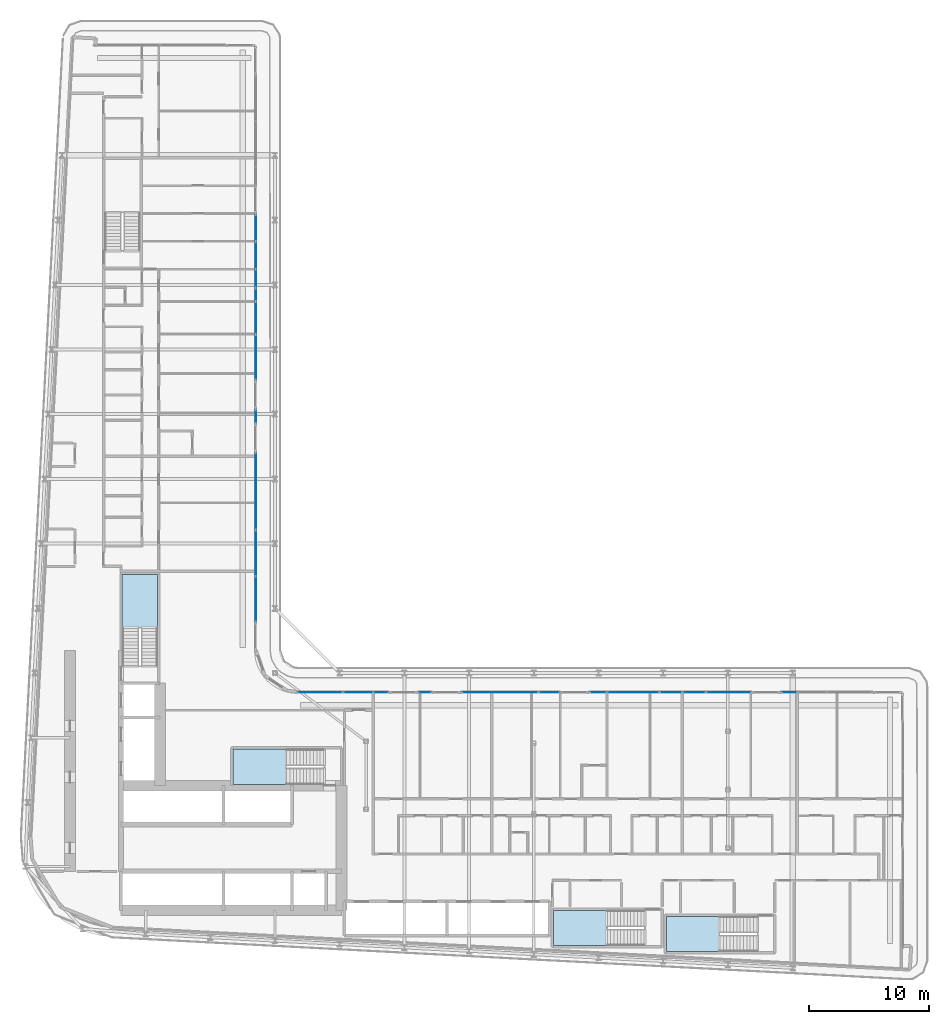
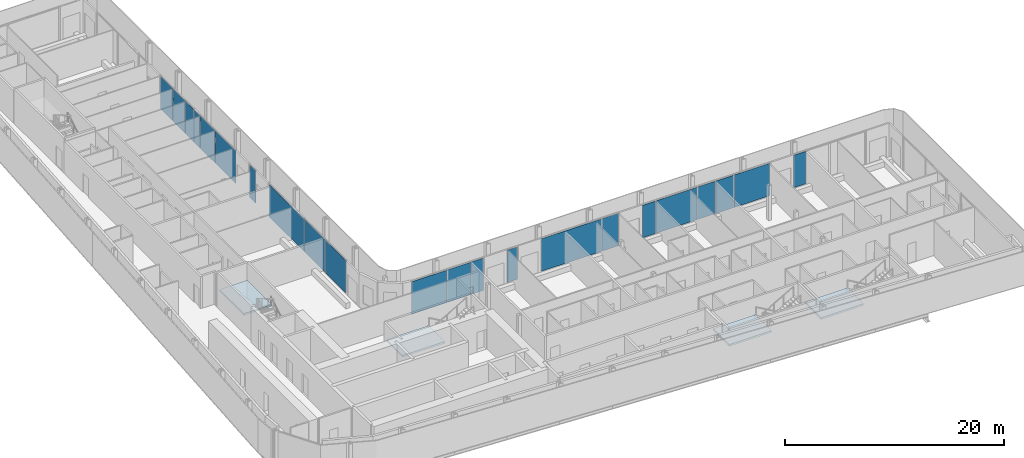
# One storey, part 10 of 28: 22 plates, 4 slabs, 16 elements without a shape of their own.
"""IFC4 building model written with IfcOpenShell, lengths in metres."""

from ifc_helpers import new_model, si_unit, direction, frame, origin, origin_2d, place, context, subcontext, project, spatial, polyline, rectangle, outline, extrude, material, layer, layer_set, type_object, element, aggregate, save


model = new_model("IFC4")

# Units and contexts
model_context = context("Model", 3, precision=1e-05, world=origin(), true_north=direction((0.0, 1.0)))
body_context = subcontext(model_context, "Body", "Model", "MODEL_VIEW")
ifc_project = project(units=[si_unit("LENGTHUNIT", "METRE"), si_unit("AREAUNIT", "SQUARE_METRE"), si_unit("VOLUMEUNIT", "CUBIC_METRE"), si_unit("PLANEANGLEUNIT", "RADIAN"), si_unit("MASSUNIT", "GRAM", prefix="KILO")], contexts=[model_context])

# Site, building, storey
site_placement = place(None, origin())
site = spatial("IfcSite", under=ifc_project, at=site_placement, CompositionType="ELEMENT")
building_placement = place(site_placement, origin())
building = spatial("IfcBuilding", under=site, at=building_placement, Name="Kheshtan School and Residences Tower", CompositionType="ELEMENT")
storey_placement = place(building_placement, frame((0.0, 0.0, 129.199951171875)))
storey = spatial("IfcBuildingStorey", under=building, at=storey_placement, Name="L30", CompositionType="ELEMENT", Elevation=129.199951171875)

# Curtain wall, plates
ifc_material_1 = material(Name="Clear low-e glass in thermally broken aluminium frame", Category="aluminium")
ifc_layer_1 = layer(ifc_material_1, 0.199951171875)
ifc_layer_set_1 = layer_set([ifc_layer_1], Name="Curtain wall CW-L")
curtain_wall_type = type_object("IfcCurtainWallType", Name="Curtain wall CW-L", PredefinedType="NOTDEFINED", material=ifc_layer_set_1)
curtain_wall_1_placement = place(storey_placement, origin())
curtain_wall_1 = element("IfcCurtainWall", 1, at=curtain_wall_1_placement, inside=storey, type_object=curtain_wall_type, Name="Curtain wall CWL8b", PredefinedType="NOTDEFINED")
ifc_layer_2 = layer(ifc_material_1, 0.031982421875)
ifc_layer_set_2 = layer_set([ifc_layer_2], Name="CW-L glass panel")
plate_type = type_object("IfcPlateType", Name="CW-L glass panel", PredefinedType="CURTAIN_PANEL", material=ifc_layer_set_2)
plate_1_placement = place(storey_placement, frame((46.0, 82.75048828125, 0.0), z_axis=(0.0, 0.0, 1.0), x_axis=(0.0, -1.0, 0.0)))
plate_1 = element("IfcPlate", 2, at=plate_1_placement, type_object=plate_type, Name="CWL8b panel 1.1", PredefinedType="CURTAIN_PANEL", context=body_context, shape_type="SweptSolid", body=[
    extrude(rectangle(XDim=2.19091796875, YDim=0.031982421875, at=origin_2d()), origin(), (0.0, 0.0, 1.0), 3.6298828125),
])
plate_2_placement = place(storey_placement, frame((46.0, 80.46240234375, 0.0), z_axis=(0.0, 0.0, 1.0), x_axis=(0.0, -1.0, 0.0)))
plate_2 = element("IfcPlate", 3, at=plate_2_placement, type_object=plate_type, Name="CWL8b panel 2.1", PredefinedType="CURTAIN_PANEL", context=body_context, shape_type="SweptSolid", body=[
    extrude(rectangle(XDim=2.264892578125, YDim=0.031982421875, at=origin_2d()), origin(), (0.0, 0.0, 1.0), 3.6298828125),
])
plate_3_placement = place(storey_placement, frame((46.0, 78.52099609375, 0.0), z_axis=(0.0, 0.0, 1.0), x_axis=(0.0, -1.0, 0.0)))
plate_3 = element("IfcPlate", 4, at=plate_3_placement, type_object=plate_type, Name="CWL8b panel 3.1", PredefinedType="CURTAIN_PANEL", context=body_context, shape_type="SweptSolid", body=[
    extrude(rectangle(XDim=1.498046875, YDim=0.031982421875, at=origin_2d()), origin(), (0.0, 0.0, 1.0), 3.6298828125),
])
aggregate(curtain_wall_1, [plate_1, plate_2, plate_3])

curtain_wall_2_placement = place(storey_placement, origin())
curtain_wall_2 = element("IfcCurtainWall", 5, at=curtain_wall_2_placement, inside=storey, type_object=curtain_wall_type, Name="Curtain wall CWL8c", PredefinedType="NOTDEFINED")
plate_4_placement = place(storey_placement, frame((46.0, 77.1708984375, 0.0), z_axis=(0.0, 0.0, 1.0), x_axis=(0.0, -1.0, 0.0)))
plate_4 = element("IfcPlate", 6, at=plate_4_placement, type_object=plate_type, Name="CWL8c panel 1.1", PredefinedType="CURTAIN_PANEL", context=body_context, shape_type="SweptSolid", body=[
    extrude(rectangle(XDim=1.08203125, YDim=0.031982421875, at=origin_2d()), origin(), (0.0, 0.0, 1.0), 3.6298828125),
])
plate_5_placement = place(storey_placement, frame((46.0, 75.232421875, 0.0), z_axis=(0.0, 0.0, 1.0), x_axis=(0.0, -1.0, 0.0)))
plate_5 = element("IfcPlate", 7, at=plate_5_placement, type_object=plate_type, Name="CWL8c panel 2.1", PredefinedType="CURTAIN_PANEL", context=body_context, shape_type="SweptSolid", body=[
    extrude(rectangle(XDim=2.675048828125, YDim=0.031982421875, at=origin_2d()), origin(), (0.0, 0.0, 1.0), 3.6298828125),
])
plate_6_placement = place(storey_placement, frame((46.0, 71.95654296875, 0.0), z_axis=(0.0, 0.0, 1.0), x_axis=(0.0, -1.0, 0.0)))
plate_6 = element("IfcPlate", 8, at=plate_6_placement, type_object=plate_type, Name="CWL8c panel 3.1", PredefinedType="CURTAIN_PANEL", context=body_context, shape_type="SweptSolid", body=[
    extrude(rectangle(XDim=3.757080078125, YDim=0.031982421875, at=origin_2d()), origin(), (0.0, 0.0, 1.0), 3.6298828125),
])
aggregate(curtain_wall_2, [plate_4, plate_5, plate_6])

# Curtain wall, plate
curtain_wall_3_placement = place(storey_placement, origin())
curtain_wall_3 = element("IfcCurtainWall", 9, at=curtain_wall_3_placement, inside=storey, type_object=curtain_wall_type, Name="Curtain wall CWL8g", PredefinedType="NOTDEFINED")
plate_7_placement = place(storey_placement, frame((46.0, 67.01806640625, 0.0), z_axis=(0.0, 0.0, 1.0), x_axis=(0.0, -1.0, 0.0)))
plate_7 = element("IfcPlate", 10, at=plate_7_placement, type_object=plate_type, Name="CWL8g panel 1.1", PredefinedType="CURTAIN_PANEL", context=body_context, shape_type="SweptSolid", body=[
    extrude(rectangle(XDim=1.080078125, YDim=0.031982421875, at=origin_2d()), origin(), (0.0, 0.0, 1.0), 3.6298828125),
])
aggregate(curtain_wall_3, [plate_7])

curtain_wall_4_placement = place(storey_placement, origin())
curtain_wall_4 = element("IfcCurtainWall", 11, at=curtain_wall_4_placement, inside=storey, type_object=curtain_wall_type, Name="Curtain wall CWL8h", PredefinedType="NOTDEFINED")
plate_8_placement = place(storey_placement, frame((46.0, 60.77099609375, 0.0), z_axis=(0.0, 0.0, 1.0), x_axis=(0.0, -1.0, 0.0)))
plate_8 = element("IfcPlate", 12, at=plate_8_placement, type_object=plate_type, Name="CWL8h panel 1.1", PredefinedType="CURTAIN_PANEL", context=body_context, shape_type="SweptSolid", body=[
    extrude(rectangle(XDim=6.3740234375, YDim=0.031982421875, at=origin_2d()), origin(), (0.0, 0.0, 1.0), 3.6298828125),
])
aggregate(curtain_wall_4, [plate_8])

# Curtain wall, plates
curtain_wall_5_placement = place(storey_placement, origin())
curtain_wall_5 = element("IfcCurtainWall", 13, at=curtain_wall_5_placement, inside=storey, type_object=curtain_wall_type, Name="Curtain wall CWL8", PredefinedType="NOTDEFINED")
plate_9_placement = place(storey_placement, frame((46.0, 55.615478515625, 0.0), z_axis=(0.0, 0.0, 1.0), x_axis=(0.0, -1.0, 0.0)))
plate_9 = element("IfcPlate", 14, at=plate_9_placement, type_object=plate_type, Name="CWL8 panel 1.1", PredefinedType="CURTAIN_PANEL", context=body_context, shape_type="SweptSolid", body=[
    extrude(rectangle(XDim=3.81689453125, YDim=0.031982421875, at=origin_2d()), origin(), (0.0, 0.0, 1.0), 3.6298828125),
])
plate_10_placement = place(storey_placement, frame((46.0, 51.7685546875, 0.0), z_axis=(0.0, 0.0, 1.0), x_axis=(0.0, -1.0, 0.0)))
plate_10 = element("IfcPlate", 15, at=plate_10_placement, type_object=plate_type, Name="CWL8 panel 2.1", PredefinedType="CURTAIN_PANEL", context=body_context, shape_type="SweptSolid", body=[
    extrude(rectangle(XDim=3.757080078125, YDim=0.031982421875, at=origin_2d()), origin(), (0.0, 0.0, 1.0), 3.6298828125),
])
aggregate(curtain_wall_5, [plate_9, plate_10])

curtain_wall_6_placement = place(storey_placement, origin())
curtain_wall_6 = element("IfcCurtainWall", 16, at=curtain_wall_6_placement, inside=storey, type_object=curtain_wall_type, Name="Curtain wall CWL12k", PredefinedType="NOTDEFINED")
plate_11_placement = place(storey_placement, frame((51.368408203125, 44.0, 0.0), z_axis=(0.0, 0.0, 1.0), x_axis=(1.0, 0.0, 0.0)))
plate_11 = element("IfcPlate", 17, at=plate_11_placement, type_object=plate_type, Name="CWL12k panel 1.1", PredefinedType="CURTAIN_PANEL", context=body_context, shape_type="SweptSolid", body=[
    extrude(rectangle(XDim=3.757080078125, YDim=0.031982421875, at=origin_2d()), origin(), (0.0, 0.0, 1.0), 3.6298828125),
])
plate_12_placement = place(storey_placement, frame((54.53857421875, 44.0, 0.0), z_axis=(0.0, 0.0, 1.0), x_axis=(1.0, 0.0, 0.0)))
plate_12 = element("IfcPlate", 18, at=plate_12_placement, type_object=plate_type, Name="CWL12k panel 2.1", PredefinedType="CURTAIN_PANEL", context=body_context, shape_type="SweptSolid", body=[
    extrude(rectangle(XDim=2.462890625, YDim=0.031982421875, at=origin_2d()), origin(), (0.0, 0.0, 1.0), 3.6298828125),
])
plate_13_placement = place(storey_placement, frame((56.447021484375, 44.0, 0.0), z_axis=(0.0, 0.0, 1.0), x_axis=(1.0, 0.0, 0.0)))
plate_13 = element("IfcPlate", 19, at=plate_13_placement, type_object=plate_type, Name="CWL12k panel 3.1", PredefinedType="CURTAIN_PANEL", context=body_context, shape_type="SweptSolid", body=[
    extrude(rectangle(XDim=1.23388671875, YDim=0.031982421875, at=origin_2d()), origin(), (0.0, 0.0, 1.0), 3.6298828125),
])
aggregate(curtain_wall_6, [plate_11, plate_12, plate_13])

# Curtain wall, plate
curtain_wall_7_placement = place(storey_placement, origin())
curtain_wall_7 = element("IfcCurtainWall", 20, at=curtain_wall_7_placement, inside=storey, type_object=curtain_wall_type, Name="Curtain wall CWL12b", PredefinedType="NOTDEFINED")
plate_14_placement = place(storey_placement, frame((60.1240234375, 44.0, 0.0), z_axis=(0.0, 0.0, 1.0), x_axis=(1.0, 0.0, 0.0)))
plate_14 = element("IfcPlate", 21, at=plate_14_placement, type_object=plate_type, Name="CWL12b panel 1.1", PredefinedType="CURTAIN_PANEL", context=body_context, shape_type="SweptSolid", body=[
    extrude(rectangle(XDim=1.080078125, YDim=0.031982421875, at=origin_2d()), origin(), (0.0, 0.0, 1.0), 3.6298828125),
])
aggregate(curtain_wall_7, [plate_14])

curtain_wall_8_placement = place(storey_placement, origin())
curtain_wall_8 = element("IfcCurtainWall", 22, at=curtain_wall_8_placement, inside=storey, type_object=curtain_wall_type, Name="Curtain wall CWL12s", PredefinedType="NOTDEFINED")
plate_15_placement = place(storey_placement, frame((66.37109375, 44.0, 0.0), z_axis=(0.0, 0.0, 1.0), x_axis=(1.0, 0.0, 0.0)))
plate_15 = element("IfcPlate", 23, at=plate_15_placement, type_object=plate_type, Name="CWL12s panel 1.1", PredefinedType="CURTAIN_PANEL", context=body_context, shape_type="SweptSolid", body=[
    extrude(rectangle(XDim=6.3740234375, YDim=0.031982421875, at=origin_2d()), origin(), (0.0, 0.0, 1.0), 3.6298828125),
])
aggregate(curtain_wall_8, [plate_15])

curtain_wall_9_placement = place(storey_placement, origin())
curtain_wall_9 = element("IfcCurtainWall", 24, at=curtain_wall_9_placement, inside=storey, type_object=curtain_wall_type, Name="Curtain wall CWL12q", PredefinedType="NOTDEFINED")
plate_16_placement = place(storey_placement, frame((70.488037109375, 44.0, 0.0), z_axis=(0.0, 0.0, 1.0), x_axis=(1.0, 0.0, 0.0)))
plate_16 = element("IfcPlate", 25, at=plate_16_placement, type_object=plate_type, Name="CWL12q panel 1.1", PredefinedType="CURTAIN_PANEL", context=body_context, shape_type="SweptSolid", body=[
    extrude(rectangle(XDim=1.739990234375, YDim=0.031982421875, at=origin_2d()), origin(), (0.0, 0.0, 1.0), 3.6298828125),
])
aggregate(curtain_wall_9, [plate_16])

# Curtain wall, plates
curtain_wall_10_placement = place(storey_placement, origin())
curtain_wall_10 = element("IfcCurtainWall", 26, at=curtain_wall_10_placement, inside=storey, type_object=curtain_wall_type, Name="Curtain wall CWL12t", PredefinedType="NOTDEFINED")
plate_17_placement = place(storey_placement, frame((74.573974609375, 44.0, 0.0), z_axis=(0.0, 0.0, 1.0), x_axis=(1.0, 0.0, 0.0)))
plate_17 = element("IfcPlate", 27, at=plate_17_placement, type_object=plate_type, Name="CWL12t panel 1.1", PredefinedType="CURTAIN_PANEL", context=body_context, shape_type="SweptSolid", body=[
    extrude(rectangle(XDim=1.39208984375, YDim=0.031982421875, at=origin_2d()), origin(), (0.0, 0.0, 1.0), 3.6298828125),
])
plate_18_placement = place(storey_placement, frame((77.490966796875, 44.0, 0.0), z_axis=(0.0, 0.0, 1.0), x_axis=(1.0, 0.0, 0.0)))
plate_18 = element("IfcPlate", 28, at=plate_18_placement, type_object=plate_type, Name="CWL12t panel 2.1", PredefinedType="CURTAIN_PANEL", context=body_context, shape_type="SweptSolid", body=[
    extrude(rectangle(XDim=4.322021484375, YDim=0.031982421875, at=origin_2d()), origin(), (0.0, 0.0, 1.0), 3.6298828125),
])
aggregate(curtain_wall_10, [plate_17, plate_18])

curtain_wall_11_placement = place(storey_placement, origin())
curtain_wall_11 = element("IfcCurtainWall", 29, at=curtain_wall_11_placement, inside=storey, type_object=curtain_wall_type, Name="Curtain wall CWL12k", PredefinedType="NOTDEFINED")
plate_19_placement = place(storey_placement, frame((80.64111328125, 44.0, 0.0), z_axis=(0.0, 0.0, 1.0), x_axis=(1.0, 0.0, 0.0)))
plate_19 = element("IfcPlate", 30, at=plate_19_placement, type_object=plate_type, Name="CWL12k panel 1.1", PredefinedType="CURTAIN_PANEL", context=body_context, shape_type="SweptSolid", body=[
    extrude(rectangle(XDim=1.85791015625, YDim=0.031982421875, at=origin_2d()), origin(), (0.0, 0.0, 1.0), 3.6298828125),
])
plate_20_placement = place(storey_placement, frame((82.57958984375, 44.0, 0.0), z_axis=(0.0, 0.0, 1.0), x_axis=(1.0, 0.0, 0.0)))
plate_20 = element("IfcPlate", 31, at=plate_20_placement, type_object=plate_type, Name="CWL12k panel 2.1", PredefinedType="CURTAIN_PANEL", context=body_context, shape_type="SweptSolid", body=[
    extrude(rectangle(XDim=1.89892578125, YDim=0.031982421875, at=origin_2d()), origin(), (0.0, 0.0, 1.0), 3.6298828125),
])
plate_21_placement = place(storey_placement, frame((85.467529296875, 44.0, 0.0), z_axis=(0.0, 0.0, 1.0), x_axis=(1.0, 0.0, 0.0)))
plate_21 = element("IfcPlate", 32, at=plate_21_placement, type_object=plate_type, Name="CWL12k panel 3.1", PredefinedType="CURTAIN_PANEL", context=body_context, shape_type="SweptSolid", body=[
    extrude(rectangle(XDim=3.757080078125, YDim=0.031982421875, at=origin_2d()), origin(), (0.0, 0.0, 1.0), 3.6298828125),
])
aggregate(curtain_wall_11, [plate_19, plate_20, plate_21])

# Curtain wall, plate
curtain_wall_12_placement = place(storey_placement, origin())
curtain_wall_12 = element("IfcCurtainWall", 33, at=curtain_wall_12_placement, inside=storey, type_object=curtain_wall_type, Name="Curtain wall CWL12k", PredefinedType="NOTDEFINED")
plate_22_placement = place(storey_placement, frame((90.51806640625, 44.0, 0.0), z_axis=(0.0, 0.0, 1.0), x_axis=(1.0, 0.0, 0.0)))
plate_22 = element("IfcPlate", 34, at=plate_22_placement, type_object=plate_type, Name="CWL12k panel 1.1", PredefinedType="CURTAIN_PANEL", context=body_context, shape_type="SweptSolid", body=[
    extrude(rectangle(XDim=1.303955078125, YDim=0.031982421875, at=origin_2d()), origin(), (0.0, 0.0, 1.0), 3.6298828125),
])
aggregate(curtain_wall_12, [plate_22])

# Stair, slab
ifc_material_2 = material(Name="Concrete C40/50", Category="concrete")
stair_type = type_object("IfcStairType", Name="Exit stair, half-turn", PredefinedType="HALF_TURN_STAIR", material=ifc_material_2)
stair_1_placement = place(storey_placement, origin())
stair_1 = element("IfcStair", 35, at=stair_1_placement, inside=storey, type_object=stair_type, Name="L30 Protected Exit Stair ST1", PredefinedType="HALF_TURN_STAIR")
ifc_layer_3 = layer(ifc_material_2, 0.199951171875)
ifc_layer_set_3 = layer_set([ifc_layer_3], Name="Stair landing 200 Concrete C40/50")
slab_type = type_object("IfcSlabType", Name="Stair landing 200 Concrete C40/50", PredefinedType="LANDING", material=ifc_layer_set_3)
slab_1_placement = place(storey_placement, frame((0.0, 0.0, 1.75)))
slab_1 = element("IfcSlab", 36, at=slab_1_placement, type_object=slab_type, Name="ST1 landing 1", PredefinedType="LANDING", context=body_context, shape_type="SweptSolid", body=[
    extrude(outline(polyline([(48.570068359375, 39.25), (44.090087890625, 39.25), (44.090087890625, 36.300048828125), (48.570068359375, 36.300048828125), (48.570068359375, 39.25)])), origin(), (0.0, 0.0, 1.0), 0.199951171875),
])
aggregate(stair_1, [slab_1])

stair_2_placement = place(storey_placement, origin())
stair_2 = element("IfcStair", 37, at=stair_2_placement, inside=storey, type_object=stair_type, Name="L30 Protected Exit Stair ST2", PredefinedType="HALF_TURN_STAIR")
slab_2_placement = place(storey_placement, frame((0.0, 0.0, 1.75)))
slab_2 = element("IfcSlab", 38, at=slab_2_placement, type_object=slab_type, Name="ST2 landing 1", PredefinedType="LANDING", context=body_context, shape_type="SweptSolid", body=[
    extrude(outline(polyline([(37.800048828125, 49.330078125), (37.800048828125, 53.81005859375), (34.85009765625, 53.81005859375), (34.85009765625, 49.330078125), (37.800048828125, 49.330078125)])), origin(), (0.0, 0.0, 1.0), 0.199951171875),
])
aggregate(stair_2, [slab_2])

stair_3_placement = place(storey_placement, origin())
stair_3 = element("IfcStair", 39, at=stair_3_placement, inside=storey, type_object=stair_type, Name="L30 Protected Exit Stair ST4", PredefinedType="HALF_TURN_STAIR")
slab_3_placement = place(storey_placement, frame((0.0, 0.0, 1.75)))
slab_3 = element("IfcSlab", 40, at=slab_3_placement, type_object=slab_type, Name="ST4 landing 1", PredefinedType="LANDING", context=body_context, shape_type="SweptSolid", body=[
    extrude(outline(polyline([(84.739990234375, 25.300048828125), (80.260009765625, 25.300048828125), (80.260009765625, 22.35009765625), (84.739990234375, 22.35009765625), (84.739990234375, 25.300048828125)])), origin(), (0.0, 0.0, 1.0), 0.199951171875),
])
aggregate(stair_3, [slab_3])

stair_4_placement = place(storey_placement, origin())
stair_4 = element("IfcStair", 41, at=stair_4_placement, inside=storey, type_object=stair_type, Name="L30 Protected Exit Stair ST5", PredefinedType="HALF_TURN_STAIR")
slab_4_placement = place(storey_placement, frame((0.0, 0.0, 1.75)))
slab_4 = element("IfcSlab", 42, at=slab_4_placement, type_object=slab_type, Name="ST5 landing 1", PredefinedType="LANDING", context=body_context, shape_type="SweptSolid", body=[
    extrude(outline(polyline([(75.330078125, 25.800048828125), (70.85009765625, 25.800048828125), (70.85009765625, 22.85009765625), (75.330078125, 22.85009765625), (75.330078125, 25.800048828125)])), origin(), (0.0, 0.0, 1.0), 0.199951171875),
])
aggregate(stair_4, [slab_4])

save(model, "model.ifc")
